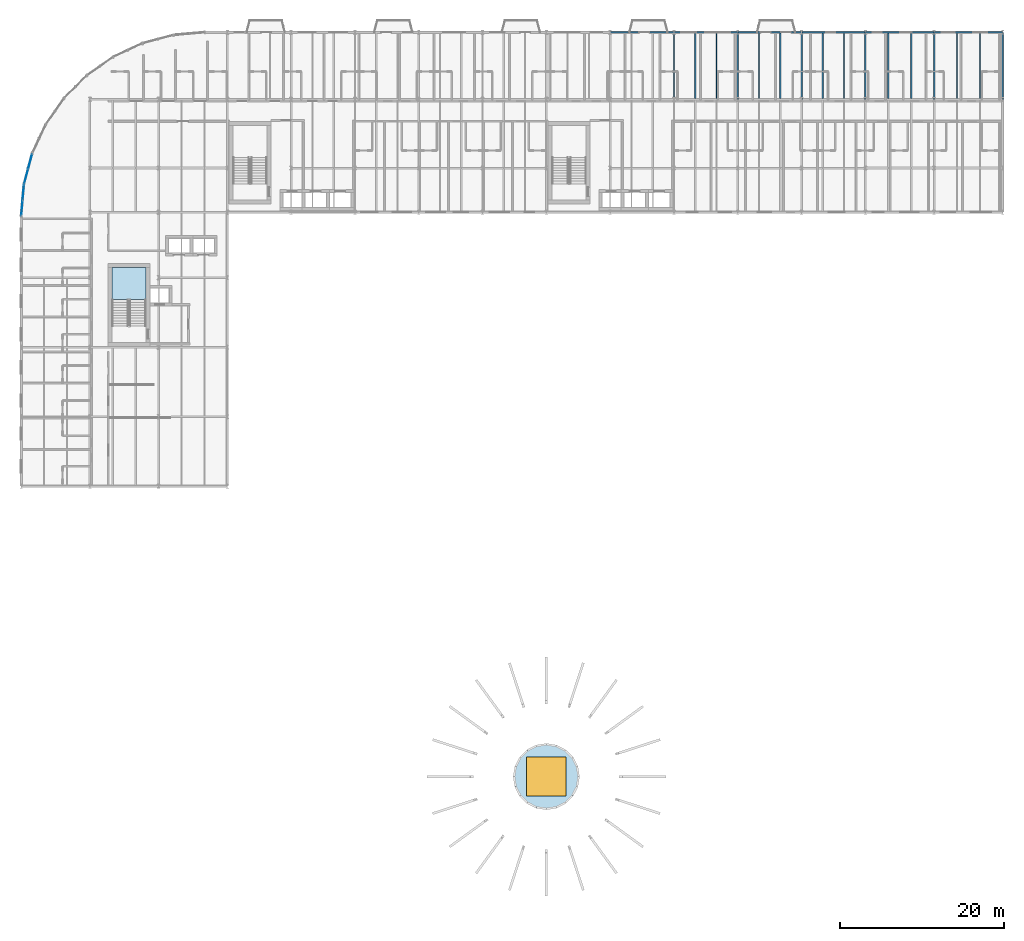
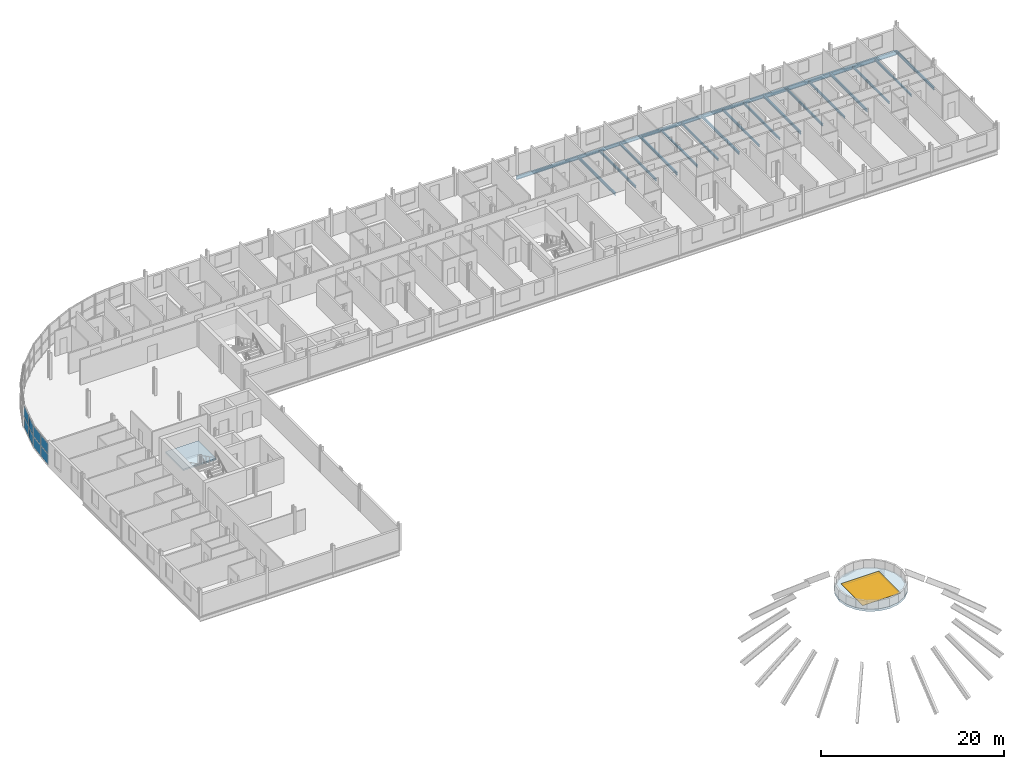
# One storey, part 12 of 34: 22 beams, 8 plates, 2 slabs, 1 window, 1 opening, 3 elements without a shape of their own.
"""IFC4 building model written with IfcOpenShell, lengths in metres."""

from ifc_helpers import new_model, si_unit, direction, frame, origin, origin_2d, place, context, subcontext, project, spatial, polyline, rectangle, i_section, outline, extrude, material, layer, layer_set, material_profile, profile_set, type_object, element, fill, aggregate, save


model = new_model("IFC4")

# Units and contexts
model_context = context("Model", 3, precision=1e-05, world=origin(), true_north=direction((0.0, 1.0)))
body_context = subcontext(model_context, "Body", "Model", "MODEL_VIEW")
ifc_project = project(units=[si_unit("LENGTHUNIT", "METRE"), si_unit("AREAUNIT", "SQUARE_METRE"), si_unit("VOLUMEUNIT", "CUBIC_METRE"), si_unit("PLANEANGLEUNIT", "RADIAN"), si_unit("MASSUNIT", "GRAM", prefix="KILO")], contexts=[model_context])

# Site, building, storey
site_placement = place(None, origin())
site = spatial("IfcSite", under=ifc_project, at=site_placement, CompositionType="ELEMENT")
building_placement = place(site_placement, origin())
building = spatial("IfcBuilding", under=site, at=building_placement, Name="Sefraquen Railside Congress Hotel", CompositionType="ELEMENT")
storey_placement = place(building_placement, frame((0.0, 0.0, 31.800048828125)))
storey = spatial("IfcBuildingStorey", under=building, at=storey_placement, Name="L07", CompositionType="ELEMENT", Elevation=31.800048828125)

# Beams
ifc_material_1 = material(Name="Steel S355JR", Category="steel")
ifc_material_profile_1 = material_profile(ifc_material_1, i_section(OverallWidth=0.169921875, OverallDepth=0.360107421875, WebThickness=0.008056640625, FlangeThickness=0.0126953125, FilletRadius=0.01806640625, at=origin_2d()), Name="IPE 360")
ifc_profile_set_1 = profile_set([ifc_material_profile_1], Name="Steel S355JR")
beam_type_1 = type_object("IfcBeamType", Name="TB-BM-360", PredefinedType="BEAM", material=ifc_profile_set_1)
for number, where, z_axis, x_axis, name in (
    (1, (79.800048828125, 109.800048828125, -0.420166015625), (0.0, 1.0, 0.0), (-1.0, 0.0, 0.0), "Floor beam BM-L07-1812"),
    (2, (87.60009765625, 109.800048828125, -0.420166015625), (0.0, 1.0, 0.0), (-1.0, 0.0, 0.0), "Floor beam BM-L07-1815"),
    (3, (95.39990234375, 109.800048828125, -0.420166015625), (0.0, 1.0, 0.0), (-1.0, 0.0, 0.0), "Floor beam BM-L07-1818"),
    (4, (103.199951171875, 109.800048828125, -0.420166015625), (0.0, 1.0, 0.0), (-1.0, 0.0, 0.0), "Floor beam BM-L07-1821"),
    (5, (111.60009765625, 109.800048828125, -0.420166015625), (0.0, 1.0, 0.0), (-1.0, 0.0, 0.0), "Floor beam BM-L07-1824"),
    (6, (120.0, 109.800048828125, -0.420166015625), (0.0, 1.0, 0.0), (-1.0, 0.0, 0.0), "Floor beam BM-L07-1827"),
):
    element("IfcBeam", number, at=place(storey_placement, frame(where, z_axis=z_axis, x_axis=x_axis)), inside=storey, type_object=beam_type_1, Name=name, PredefinedType="BEAM", context=body_context, shape_type="SweptSolid", body=[
        extrude(i_section(OverallWidth=0.169921875, OverallDepth=0.360107421875, WebThickness=0.008056640625, FlangeThickness=0.0126953125, FilletRadius=0.01806640625, at=origin_2d()), origin(), (0.0, 0.0, 1.0), 8.199951171875),
    ])
ifc_material_profile_2 = material_profile(ifc_material_1, i_section(OverallWidth=0.18994140625, OverallDepth=0.449951171875, WebThickness=0.009521484375, FlangeThickness=0.0146484375, FilletRadius=0.02099609375, at=origin_2d()), Name="IPE 450")
ifc_profile_set_2 = profile_set([ifc_material_profile_2], Name="Steel S355JR")
beam_type_2 = type_object("IfcBeamType", Name="TB-BM-450", PredefinedType="BEAM", material=ifc_profile_set_2)
for number, where, z_axis, x_axis, name in (
    (7, (72.0, 118.0, -0.465087890625), (1.0, 0.0, 0.0), (0.0, 1.0, 0.0), "Primary girder BM-L07-1764"),
    (8, (79.800048828125, 118.0, -0.465087890625), (1.0, 0.0, 0.0), (0.0, 1.0, 0.0), "Primary girder BM-L07-1765"),
):
    element("IfcBeam", number, at=place(storey_placement, frame(where, z_axis=z_axis, x_axis=x_axis)), inside=storey, type_object=beam_type_2, Name=name, PredefinedType="BEAM", context=body_context, shape_type="SweptSolid", body=[
        extrude(i_section(OverallWidth=0.18994140625, OverallDepth=0.449951171875, WebThickness=0.009521484375, FlangeThickness=0.0146484375, FilletRadius=0.02099609375, at=origin_2d()), origin(), (0.0, 0.0, 1.0), 7.800048828125),
    ])
beam_1_placement = place(storey_placement, frame((87.60009765625, 118.0, -0.465087890625), z_axis=(1.0, 0.0, 0.0), x_axis=(0.0, 1.0, 0.0)))
element("IfcBeam", 9, at=beam_1_placement, inside=storey, type_object=beam_type_2, Name="Primary girder BM-L07-1766", PredefinedType="BEAM", context=body_context, shape_type="SweptSolid", body=[
    extrude(i_section(OverallWidth=0.18994140625, OverallDepth=0.449951171875, WebThickness=0.009521484375, FlangeThickness=0.0146484375, FilletRadius=0.02099609375, at=origin_2d()), origin(), (0.0, 0.0, 1.0), 7.7998046875),
])
beam_2_placement = place(storey_placement, frame((95.39990234375, 118.0, -0.465087890625), z_axis=(1.0, 0.0, 0.0), x_axis=(0.0, 1.0, 0.0)))
element("IfcBeam", 10, at=beam_2_placement, inside=storey, type_object=beam_type_2, Name="Primary girder BM-L07-1767", PredefinedType="BEAM", context=body_context, shape_type="SweptSolid", body=[
    extrude(i_section(OverallWidth=0.18994140625, OverallDepth=0.449951171875, WebThickness=0.009521484375, FlangeThickness=0.0146484375, FilletRadius=0.02099609375, at=origin_2d()), origin(), (0.0, 0.0, 1.0), 7.800048828125),
])
ifc_material_profile_3 = material_profile(ifc_material_1, i_section(OverallWidth=0.2099609375, OverallDepth=0.550048828125, WebThickness=0.010986328125, FlangeThickness=0.01708984375, FilletRadius=0.02392578125, at=origin_2d()), Name="IPE 550")
ifc_profile_set_3 = profile_set([ifc_material_profile_3], Name="Steel S355JR")
beam_type_3 = type_object("IfcBeamType", Name="TB-GIR-550", PredefinedType="T_BEAM", material=ifc_profile_set_3)
beam_3_placement = place(storey_placement, frame((103.199951171875, 118.0, -0.51513671875), z_axis=(1.0, 0.0, 0.0), x_axis=(0.0, 1.0, 0.0)))
element("IfcBeam", 11, at=beam_3_placement, inside=storey, type_object=beam_type_3, Name="Primary girder BM-L07-1768", PredefinedType="T_BEAM", context=body_context, shape_type="SweptSolid", body=[
    extrude(i_section(OverallWidth=0.2099609375, OverallDepth=0.550048828125, WebThickness=0.010986328125, FlangeThickness=0.01708984375, FilletRadius=0.02392578125, at=origin_2d()), origin(), (0.0, 0.0, 1.0), 8.400146484375),
])
beam_4_placement = place(storey_placement, frame((111.60009765625, 118.0, -0.51513671875), z_axis=(1.0, 0.0, 0.0), x_axis=(0.0, 1.0, 0.0)))
element("IfcBeam", 12, at=beam_4_placement, inside=storey, type_object=beam_type_3, Name="Primary girder BM-L07-1769", PredefinedType="T_BEAM", context=body_context, shape_type="SweptSolid", body=[
    extrude(i_section(OverallWidth=0.2099609375, OverallDepth=0.550048828125, WebThickness=0.010986328125, FlangeThickness=0.01708984375, FilletRadius=0.02392578125, at=origin_2d()), origin(), (0.0, 0.0, 1.0), 8.39990234375),
])
ifc_material_profile_4 = material_profile(ifc_material_1, i_section(OverallWidth=0.14990234375, OverallDepth=0.300048828125, WebThickness=0.007080078125, FlangeThickness=0.0107421875, FilletRadius=0.014892578125, at=origin_2d()), Name="IPE 300")
ifc_profile_set_4 = profile_set([ifc_material_profile_4], Name="Steel S355JR")
beam_type_4 = type_object("IfcBeamType", Name="TB-JST-300", PredefinedType="JOIST", material=ifc_profile_set_4)
for number, where, z_axis, x_axis, name in (
    (13, (82.39990234375, 109.875, -0.39013671875), (0.0, 1.0, 0.0), (-1.0, 0.0, 0.0), "Composite floor joist BM-L07-J1208"),
    (14, (85.0, 109.875, -0.39013671875), (0.0, 1.0, 0.0), (-1.0, 0.0, 0.0), "Composite floor joist BM-L07-J1209"),
    (15, (90.199951171875, 109.875, -0.39013671875), (0.0, 1.0, 0.0), (-1.0, 0.0, 0.0), "Composite floor joist BM-L07-J1214"),
    (16, (92.800048828125, 109.875, -0.39013671875), (0.0, 1.0, 0.0), (-1.0, 0.0, 0.0), "Composite floor joist BM-L07-J1215"),
    (17, (98.0, 109.875, -0.39013671875), (0.0, 1.0, 0.0), (-1.0, 0.0, 0.0), "Composite floor joist BM-L07-J1220"),
    (18, (100.60009765625, 109.875, -0.39013671875), (0.0, 1.0, 0.0), (-1.0, 0.0, 0.0), "Composite floor joist BM-L07-J1221"),
):
    element("IfcBeam", number, at=place(storey_placement, frame(where, z_axis=z_axis, x_axis=x_axis)), inside=storey, type_object=beam_type_4, Name=name, PredefinedType="JOIST", context=body_context, shape_type="SweptSolid", body=[
        extrude(i_section(OverallWidth=0.14990234375, OverallDepth=0.300048828125, WebThickness=0.007080078125, FlangeThickness=0.0107421875, FilletRadius=0.014892578125, at=origin_2d()), origin(), (0.0, 0.0, 1.0), 8.050048828125),
    ])
for number, where, z_axis, x_axis, name in (
    (19, (106.0, 109.885009765625, -0.39013671875), (0.0, 1.0, 0.0), (-1.0, 0.0, 0.0), "Composite floor joist BM-L07-J1226"),
    (20, (108.800048828125, 109.885009765625, -0.39013671875), (0.0, 1.0, 0.0), (-1.0, 0.0, 0.0), "Composite floor joist BM-L07-J1227"),
    (21, (114.39990234375, 109.885009765625, -0.39013671875), (0.0, 1.0, 0.0), (-1.0, 0.0, 0.0), "Composite floor joist BM-L07-J1232"),
    (22, (117.199951171875, 109.885009765625, -0.39013671875), (0.0, 1.0, 0.0), (-1.0, 0.0, 0.0), "Composite floor joist BM-L07-J1233"),
):
    element("IfcBeam", number, at=place(storey_placement, frame(where, z_axis=z_axis, x_axis=x_axis)), inside=storey, type_object=beam_type_4, Name=name, PredefinedType="JOIST", context=body_context, shape_type="SweptSolid", body=[
        extrude(i_section(OverallWidth=0.14990234375, OverallDepth=0.300048828125, WebThickness=0.007080078125, FlangeThickness=0.0107421875, FilletRadius=0.014892578125, at=origin_2d()), origin(), (0.0, 0.0, 1.0), 8.030029296875),
    ])

# Curtain wall, plates
ifc_material_2 = material(Name="Thermally broken anodised aluminium and low-E double glazing", Category="aluminium")
ifc_layer_1 = layer(ifc_material_2, 0.199951171875)
ifc_layer_set_1 = layer_set([ifc_layer_1], Name="Thermally broken anodised aluminium and low-E double glazing")
curtain_wall_type_1 = type_object("IfcCurtainWallType", Name="TCW-UCW-07", PredefinedType="USERDEFINED", material=ifc_layer_set_1)
curtain_wall_1_placement = place(storey_placement, origin())
curtain_wall_1 = element("IfcCurtainWall", 23, at=curtain_wall_1_placement, inside=storey, type_object=curtain_wall_type_1, Name="Rotunda L07 curved curtain wall facet 8", ObjectType="UNITISED CURTAIN WALL", PredefinedType="USERDEFINED")
ifc_material_3 = material(Name="Solar-control low-E double glazing", Category="glass")
ifc_layer_2 = layer(ifc_material_3, 0.02392578125)
ifc_layer_set_2 = layer_set([ifc_layer_2], Name="Solar-control low-E double glazing")
plate_type_1 = type_object("IfcPlateType", Name="TP-CWP-01", PredefinedType="CURTAIN_PANEL", material=ifc_layer_set_2)
plate_1_placement = place(storey_placement, frame((1.097900390625, 102.22900390625, 0.0400390625), z_axis=(0.0, 0.0, 1.0), x_axis=(-0.258785327773, -0.96593486019, 0.0)))
plate_1 = element("IfcPlate", 24, at=plate_1_placement, type_object=plate_type_1, Name="CW-L07-ROT-08 panel 1.1", PredefinedType="CURTAIN_PANEL", context=body_context, shape_type="SweptSolid", body=[
    extrude(rectangle(XDim=1.8310546875, YDim=0.02392578125, at=origin_2d()), origin(), (0.0, 0.0, 1.0), 1.375),
])
plate_2_placement = place(storey_placement, frame((0.6005859375, 100.37353515625, 0.0400390625), z_axis=(0.0, 0.0, 1.0), x_axis=(-0.258785327773, -0.96593486019, 0.0)))
plate_2 = element("IfcPlate", 25, at=plate_2_placement, type_object=plate_type_1, Name="CW-L07-ROT-08 panel 1.2", PredefinedType="CURTAIN_PANEL", context=body_context, shape_type="SweptSolid", body=[
    extrude(rectangle(XDim=1.8310546875, YDim=0.02392578125, at=origin_2d()), origin(), (0.0, 0.0, 1.0), 1.375),
])

ifc_layer_3 = layer(ifc_material_2, 0.199951171875)
ifc_layer_set_3 = layer_set([ifc_layer_3], Name="Thermally broken anodised aluminium and low-E double glazing")
curtain_wall_type_2 = type_object("IfcCurtainWallType", Name="TCW-UCW-08", PredefinedType="USERDEFINED", material=ifc_layer_set_3)
curtain_wall_2_placement = place(storey_placement, origin())
curtain_wall_2 = element("IfcCurtainWall", 26, at=curtain_wall_2_placement, inside=storey, type_object=curtain_wall_type_2, Name="Rotunda L07 curved curtain wall facet 9", ObjectType="UNITISED CURTAIN WALL", PredefinedType="USERDEFINED")
plate_3_placement = place(storey_placement, frame((0.254638671875, 98.410400390625, 0.0400390625), z_axis=(0.0, 0.0, 1.0), x_axis=(-0.087138355857, -0.996196219095, 0.0)))
plate_3 = element("IfcPlate", 27, at=plate_3_placement, type_object=plate_type_1, Name="CW-L07-ROT-09 panel 1.1", PredefinedType="CURTAIN_PANEL", context=body_context, shape_type="SweptSolid", body=[
    extrude(rectangle(XDim=1.8310546875, YDim=0.02392578125, at=origin_2d()), origin(), (0.0, 0.0, 1.0), 1.375),
])
plate_4_placement = place(storey_placement, frame((0.087158203125, 96.49658203125, 0.0400390625), z_axis=(0.0, 0.0, 1.0), x_axis=(-0.087138355857, -0.996196219095, 0.0)))
plate_4 = element("IfcPlate", 28, at=plate_4_placement, type_object=plate_type_1, Name="CW-L07-ROT-09 panel 1.2", PredefinedType="CURTAIN_PANEL", context=body_context, shape_type="SweptSolid", body=[
    extrude(rectangle(XDim=1.8310546875, YDim=0.02392578125, at=origin_2d()), origin(), (0.0, 0.0, 1.0), 1.375),
])

# Plate
ifc_material_4 = material(Name="Triple acoustic solar-control glazing", Category="glass")
ifc_layer_4 = layer(ifc_material_4, 0.031982421875)
ifc_layer_set_4 = layer_set([ifc_layer_4], Name="Triple acoustic solar-control glazing")
plate_type_2 = type_object("IfcPlateType", Name="TP-CWP-02", PredefinedType="CURTAIN_PANEL", material=ifc_layer_set_4)
plate_5_placement = place(storey_placement, frame((1.097900390625, 102.22900390625, 1.494873046875), z_axis=(0.0, 0.0, 1.0), x_axis=(-0.258785327773, -0.96593486019, 0.0)))
plate_5 = element("IfcPlate", 29, at=plate_5_placement, type_object=plate_type_2, Name="CW-L07-ROT-08 panel 2.1", PredefinedType="CURTAIN_PANEL", context=body_context, shape_type="SweptSolid", body=[
    extrude(rectangle(XDim=1.8310546875, YDim=0.031982421875, at=origin_2d()), origin(), (0.0, 0.0, 1.0), 1.375),
])

plate_6_placement = place(storey_placement, frame((0.6005859375, 100.37353515625, 1.494873046875), z_axis=(0.0, 0.0, 1.0), x_axis=(-0.258785327773, -0.96593486019, 0.0)))
plate_6 = element("IfcPlate", 30, at=plate_6_placement, type_object=plate_type_2, Name="CW-L07-ROT-08 panel 2.2", PredefinedType="CURTAIN_PANEL", context=body_context, shape_type="SweptSolid", body=[
    extrude(rectangle(XDim=1.8310546875, YDim=0.031982421875, at=origin_2d()), origin(), (0.0, 0.0, 1.0), 1.375),
])

aggregate(curtain_wall_1, [plate_1, plate_2, plate_5, plate_6])

plate_7_placement = place(storey_placement, frame((0.254638671875, 98.410400390625, 1.494873046875), z_axis=(0.0, 0.0, 1.0), x_axis=(-0.087138355857, -0.996196219095, 0.0)))
plate_7 = element("IfcPlate", 31, at=plate_7_placement, type_object=plate_type_2, Name="CW-L07-ROT-09 panel 2.1", PredefinedType="CURTAIN_PANEL", context=body_context, shape_type="SweptSolid", body=[
    extrude(rectangle(XDim=1.8310546875, YDim=0.031982421875, at=origin_2d()), origin(), (0.0, 0.0, 1.0), 1.375),
])

plate_8_placement = place(storey_placement, frame((0.087158203125, 96.49658203125, 1.494873046875), z_axis=(0.0, 0.0, 1.0), x_axis=(-0.087138355857, -0.996196219095, 0.0)))
plate_8 = element("IfcPlate", 32, at=plate_8_placement, type_object=plate_type_2, Name="CW-L07-ROT-09 panel 2.2", PredefinedType="CURTAIN_PANEL", context=body_context, shape_type="SweptSolid", body=[
    extrude(rectangle(XDim=1.8310546875, YDim=0.031982421875, at=origin_2d()), origin(), (0.0, 0.0, 1.0), 1.375),
])

aggregate(curtain_wall_2, [plate_3, plate_4, plate_7, plate_8])

# Stair, slab
ifc_material_5 = material(Name="Concrete C40/50", Category="concrete")
stair_type = type_object("IfcStairType", Name="TST-DOG-198-360", PredefinedType="HALF_TURN_STAIR", material=ifc_material_5)
stair_placement = place(storey_placement, origin())
stair = element("IfcStair", 33, at=stair_placement, inside=storey, type_object=stair_type, Name="L07 Pressurized escape stair ST-H01", PredefinedType="HALF_TURN_STAIR")
ifc_layer_5 = layer(ifc_material_5, 0.199951171875)
ifc_layer_set_5 = layer_set([ifc_layer_5], Name="Concrete C40/50")
slab_type_1 = type_object("IfcSlabType", Name="TS-LD-200", PredefinedType="LANDING", material=ifc_layer_set_5)
slab_1_placement = place(storey_placement, frame((0.0, 0.0, 1.599853515625)))
slab_1 = element("IfcSlab", 34, at=slab_1_placement, type_object=slab_type_1, Name="ST-H01 landing 1", PredefinedType="LANDING", context=body_context, shape_type="SweptSolid", body=[
    extrude(outline(polyline([(15.260009765625, 85.300048828125), (15.260009765625, 89.2119140625), (11.10009765625, 89.2119140625), (11.10009765625, 85.300048828125), (15.260009765625, 85.300048828125)])), origin(), (0.0, 0.0, 1.0), 0.2001953125),
])
aggregate(stair, [slab_1])

# Slab, opening, window
ifc_layer_6 = layer(ifc_material_5, 0.260009765625)
ifc_layer_set_6 = layer_set([ifc_layer_6], Name="Concrete C40/50")
slab_type_2 = type_object("IfcSlabType", Name="TS-RF-260", PredefinedType="ROOF", material=ifc_layer_set_6)
slab_2_placement = place(storey_placement, frame((0.0, 0.0, 2.39990234375)))
slab_2 = element("IfcSlab", 35, at=slab_2_placement, inside=storey, type_object=slab_type_2, Name="Dome oculus lantern curb slab", PredefinedType="ROOF", context=body_context, shape_type="SweptSolid", body=[
    extrude(outline(polyline([(68.219970703125, 27.0), (68.023193359375, 28.2421875), (67.4521484375, 29.36279296875), (66.56298828125, 30.252197265625), (65.442138671875, 30.8232421875), (64.199951171875, 31.02001953125), (62.957763671875, 30.8232421875), (61.837158203125, 30.252197265625), (60.94775390625, 29.36279296875), (60.376708984375, 28.2421875), (60.179931640625, 27.0), (60.376708984375, 25.7578125), (60.94775390625, 24.63720703125), (61.837158203125, 23.747802734375), (62.957763671875, 23.1767578125), (64.199951171875, 22.97998046875), (65.442138671875, 23.1767578125), (66.56298828125, 23.747802734375), (67.4521484375, 24.63720703125), (68.023193359375, 25.7578125), (68.219970703125, 27.0)])), origin(), (0.0, 0.0, 1.0), 0.300048828125),
])
opening_placement = place(slab_2_placement, frame((64.199951171875, 27.0, -0.010009765625)))
opening = element("IfcOpeningElement", 36, at=opening_placement, cuts=slab_2, Name="Opening SK-07", PredefinedType="OPENING", context=body_context, shape_type="SweptSolid", body=[
    extrude(rectangle(XDim=4.800048828125, YDim=4.800048828125, at=origin_2d()), origin(), (0.0, 0.0, 1.0), 0.320068359375),
])
ifc_material_6 = material(Name="Laminated solar-control skylight glazing in bronze kerb", Category="glass")
window_type = type_object("IfcWindowType", Name="TWN-SK-07", PartitioningType="SINGLE_PANEL", PredefinedType="SKYLIGHT", material=ifc_material_6)
window_placement = place(opening_placement, frame((0.0, 0.0, 0.260009765625)))
window = element("IfcWindow", 37, at=window_placement, inside=storey, type_object=window_type, Name="Dome Oculus Skylight SK-07", OverallHeight=4.800048828125, OverallWidth=4.800048828125, PartitioningType="SINGLE_PANEL", PredefinedType="SKYLIGHT", context=body_context, shape_type="SweptSolid", body=[
    extrude(rectangle(XDim=4.800048828125, YDim=4.800048828125, at=origin_2d()), origin(), (0.0, 0.0, 1.0), 0.050048828125),
])
fill(opening, window)

save(model, "model.ifc")
